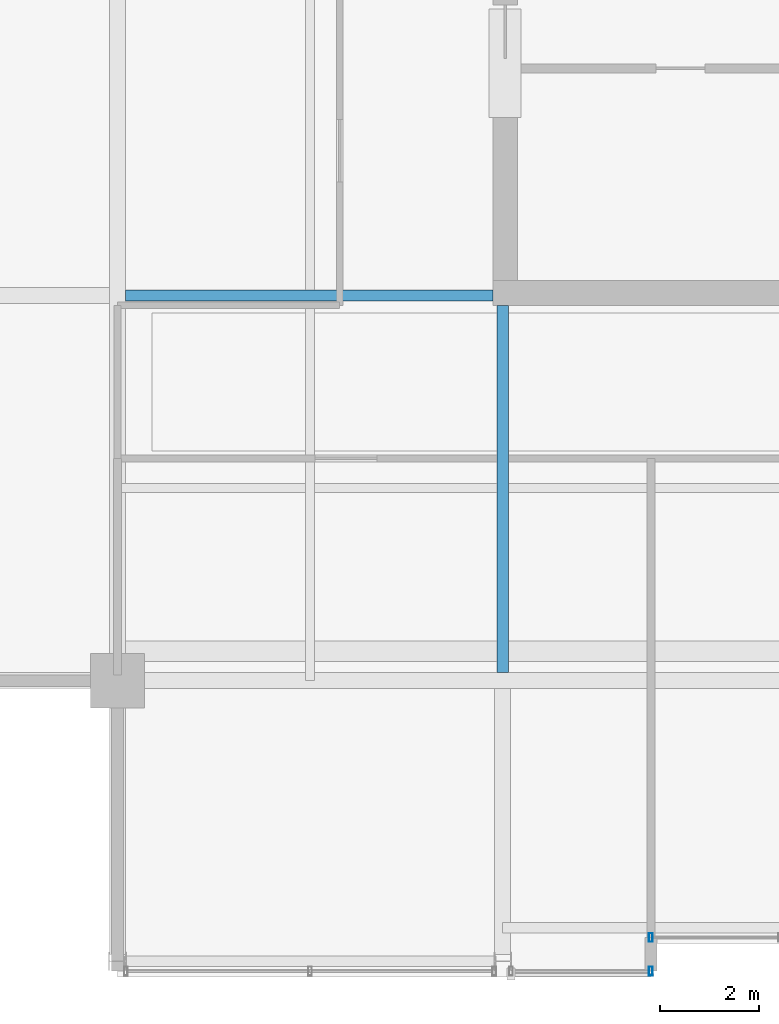
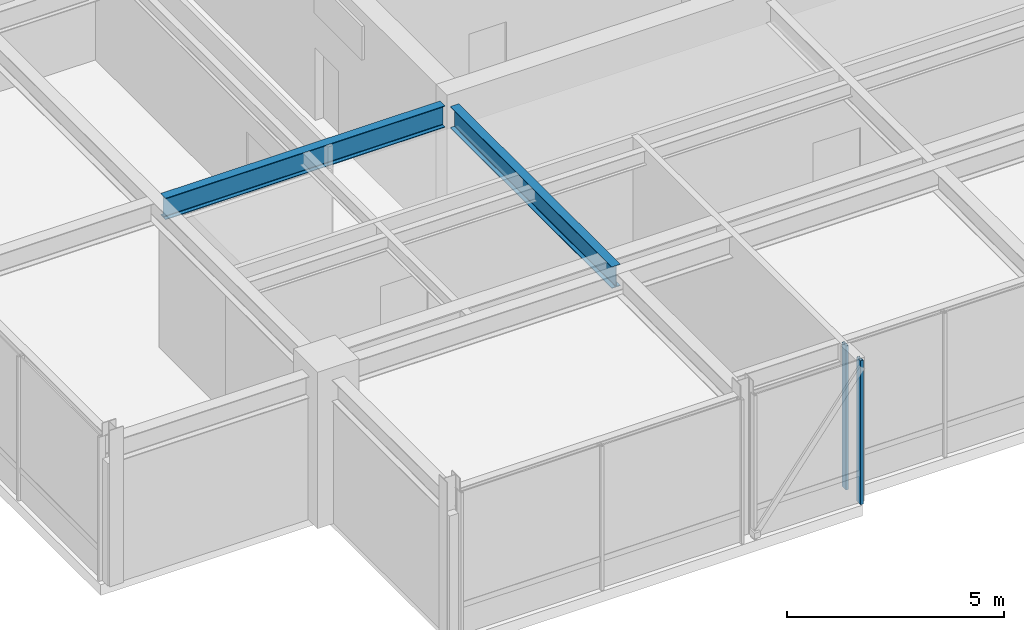
# One storey, part 7 of 33: 2 beams, 2 members, 2 elements without a shape of their own.
"""IFC4 building model written with IfcOpenShell, lengths in metres."""

from ifc_helpers import new_model, si_unit, direction, frame, origin, origin_2d, place, context, subcontext, project, spatial, hollow_rectangle, i_section, extrude, material, layer, layer_set, material_profile, profile_set, type_object, element, aggregate, save


model = new_model("IFC4")

# Units and contexts
model_context = context("Model", 3, precision=1e-05, world=origin(), true_north=direction((0.0, 1.0)))
body_context = subcontext(model_context, "Body", "Model", "MODEL_VIEW")
ifc_project = project(units=[si_unit("LENGTHUNIT", "METRE"), si_unit("AREAUNIT", "SQUARE_METRE"), si_unit("VOLUMEUNIT", "CUBIC_METRE"), si_unit("PLANEANGLEUNIT", "RADIAN"), si_unit("MASSUNIT", "GRAM", prefix="KILO")], contexts=[model_context])

# Site, building, storey
site_placement = place(None, origin())
site = spatial("IfcSite", under=ifc_project, at=site_placement, CompositionType="ELEMENT")
building_placement = place(site_placement, origin())
building = spatial("IfcBuilding", under=site, at=building_placement, Name="Drelvath Grand Hotel", CompositionType="ELEMENT")
storey_placement = place(building_placement, frame((0.0, 0.0, 298.60009765625)))
storey = spatial("IfcBuildingStorey", under=building, at=storey_placement, Name="L78", CompositionType="ELEMENT", Elevation=298.60009765625)

# Curtain wall, member
ifc_material_1 = material(Name="Platinum-Mist Anodised Aluminium Frame", Category="aluminium")
ifc_layer = layer(ifc_material_1, 0.199951171875)
ifc_layer_set = layer_set([ifc_layer], Name="Platinum-Mist Anodised Aluminium Frame")
curtain_wall_type = type_object("IfcCurtainWallType", Name="Stick Curtain Wall CW-05 Platinum Mist High-Rise", PredefinedType="NOTDEFINED", material=ifc_layer_set)
curtain_wall_1_placement = place(storey_placement, origin())
curtain_wall_1 = element("IfcCurtainWall", 1, at=curtain_wall_1_placement, inside=storey, type_object=curtain_wall_type, Name="L78 CW-05 Curtain Wall CW05-L78-SM1", PredefinedType="NOTDEFINED")
ifc_material_profile_1 = material_profile(ifc_material_1, hollow_rectangle(XDim=0.074951171875, YDim=0.179931640625, WallThickness=0.0048828125, at=origin_2d()), Name="HSS180X75X5")
ifc_profile_set_1 = profile_set([ifc_material_profile_1], Name="Platinum-Mist Anodised Aluminium Frame")
member_type = type_object("IfcMemberType", Name="Curtain Wall Vertical Mullion CW-05 HSS180X75X5", PredefinedType="MULLION", material=ifc_profile_set_1)
member_1_placement = place(storey_placement, frame((-5.39990234375, 5.60009765625, 0.0), z_axis=(0.0, 0.0, 1.0), x_axis=(1.0, 0.0, 0.0)))
member_1 = element("IfcMember", 2, at=member_1_placement, type_object=member_type, Name="CW05-L78-SM1 Mullion 3", PredefinedType="MULLION", context=body_context, shape_type="SweptSolid", body=[
    extrude(hollow_rectangle(XDim=0.074951171875, YDim=0.179931640625, WallThickness=0.0048828125, at=origin_2d()), origin(), (0.0, 0.0, 1.0), 4.0498046875),
])
aggregate(curtain_wall_1, [member_1])

curtain_wall_2_placement = place(storey_placement, origin())
curtain_wall_2 = element("IfcCurtainWall", 3, at=curtain_wall_2_placement, inside=storey, type_object=curtain_wall_type, Name="L78 CW-05 Curtain Wall CW05-L78-SW2", PredefinedType="NOTDEFINED")
member_2_placement = place(storey_placement, frame((-5.39990234375, 4.919921875, 0.0), z_axis=(0.0, 0.0, 1.0), x_axis=(1.0, 0.0, 0.0)))
member_2 = element("IfcMember", 4, at=member_2_placement, type_object=member_type, Name="CW05-L78-SW2 Mullion 1", PredefinedType="MULLION", context=body_context, shape_type="SweptSolid", body=[
    extrude(hollow_rectangle(XDim=0.074951171875, YDim=0.179931640625, WallThickness=0.0048828125, at=origin_2d()), origin(), (0.0, 0.0, 1.0), 4.0498046875),
])
aggregate(curtain_wall_2, [member_2])

# Beams
ifc_material_2 = material(Name="Steel ASTM A992 Gr 50", Category="steel")
ifc_material_profile_2 = material_profile(ifc_material_2, i_section(OverallWidth=0.228271484375, OverallDepth=0.607666015625, WebThickness=0.01123046875, FlangeThickness=0.017333984375, FilletRadius=0.02001953125, at=origin_2d()), Name="W24X76")
ifc_profile_set_2 = profile_set([ifc_material_profile_2], Name="Steel ASTM A992 Gr 50")
beam_type = type_object("IfcBeamType", Name="Primary Floor Girder W24X76", PredefinedType="BEAM", material=ifc_profile_set_2)
for number, where, z_axis, x_axis, name in (
    (5, (-16.0380859375, 18.60009765625, 3.74609375), (1.0, 0.0, 0.0), (0.0, 1.0, 0.0), "L78 West Core Tie D"),
    (6, (-8.39990234375, 10.9619140625, 3.74609375), (0.0, 1.0, 0.0), (-1.0, 0.0, 0.0), "L78 South Core Tie 4"),
):
    element("IfcBeam", number, at=place(storey_placement, frame(where, z_axis=z_axis, x_axis=x_axis)), inside=storey, type_object=beam_type, Name=name, PredefinedType="BEAM", context=body_context, shape_type="SweptSolid", body=[
        extrude(i_section(OverallWidth=0.228271484375, OverallDepth=0.607666015625, WebThickness=0.01123046875, FlangeThickness=0.017333984375, FilletRadius=0.02001953125, at=origin_2d()), origin(), (0.0, 0.0, 1.0), 7.43798828125),
    ])

save(model, "model.ifc")
